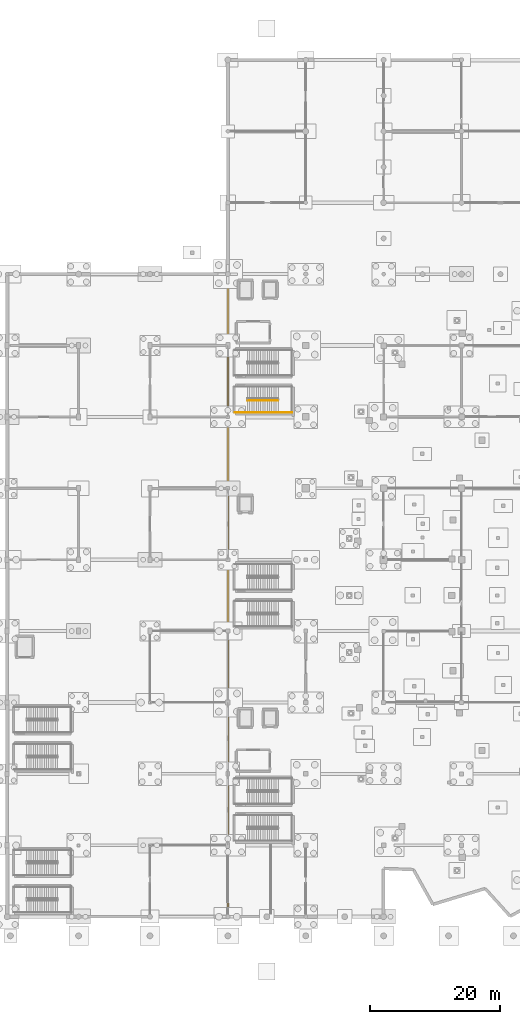
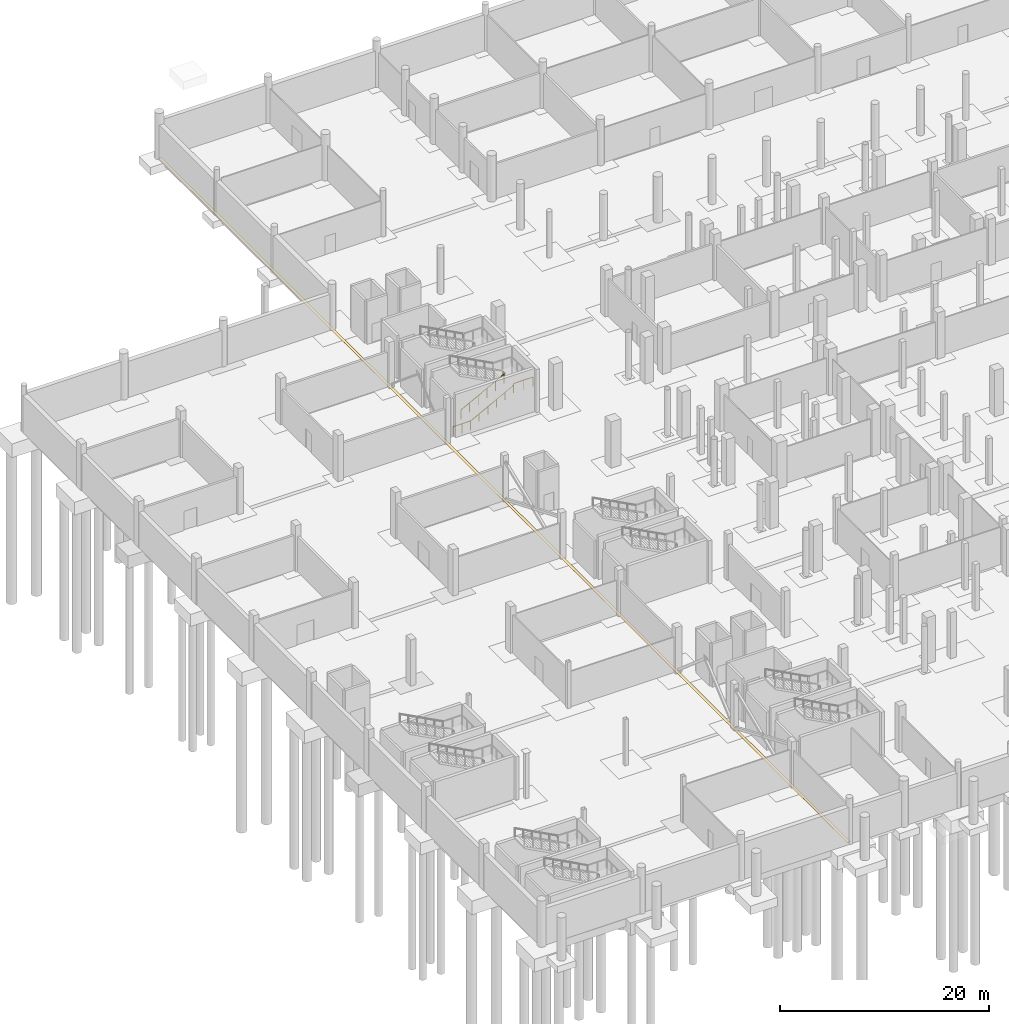
# One storey, part 51 of 60: 4 railings, 1 covering.
"""IFC4 building model written with IfcOpenShell, lengths in metres."""

from ifc_helpers import new_model, si_unit, direction, frame, origin, origin_2d, place, context, subcontext, project, spatial, rectangle, circle, extrude, material, layer, layer_set, type_object, element, save


model = new_model("IFC4")

# Units and contexts
model_context = context("Model", 3, precision=1e-05, world=origin(), true_north=direction((0.0, 1.0)))
body_context = subcontext(model_context, "Body", "Model", "MODEL_VIEW")
ifc_project = project(units=[si_unit("LENGTHUNIT", "METRE"), si_unit("AREAUNIT", "SQUARE_METRE"), si_unit("VOLUMEUNIT", "CUBIC_METRE"), si_unit("PLANEANGLEUNIT", "RADIAN"), si_unit("MASSUNIT", "GRAM", prefix="KILO")], contexts=[model_context])

# Site, building, storey
site_placement = place(None, origin())
site = spatial("IfcSite", under=ifc_project, at=site_placement, CompositionType="ELEMENT")
building_placement = place(site_placement, origin())
building = spatial("IfcBuilding", under=site, at=building_placement, Name="Luwafu Chhajja Arena", CompositionType="ELEMENT")
storey_placement = place(building_placement, frame((0.0, 0.0, -5.39990234375)))
storey = spatial("IfcBuildingStorey", under=building, at=storey_placement, Name="B1", CompositionType="ELEMENT", Elevation=-5.39990234375)

# Covering
ifc_material_1 = material(Name="Red laterite sandstone cladding", Category="masonry")
ifc_layer = layer(ifc_material_1, 0.074951171875, Name="Red laterite sandstone cladding")
ifc_layer_set = layer_set([ifc_layer], Name="Red laterite sandstone cladding")
covering_type = type_object("IfcCoveringType", Name="Dressed Red-Laterite Sandstone Cladding", PredefinedType="CLADDING", material=ifc_layer_set)
covering_placement = place(storey_placement, frame((34.0, 66.0, -0.024169921875), z_axis=(0.0, 0.0, 1.0), x_axis=(1.0, 0.0, 0.0)))
element("IfcCovering", 1, at=covering_placement, inside=storey, type_object=covering_type, Name="B1 Movement Joint MJ01 Flush Threshold Cover Plate 01", PredefinedType="CLADDING", context=body_context, shape_type="SweptSolid", body=[
    extrude(rectangle(XDim=0.320068359375, YDim=131.800048828125, at=origin_2d()), origin(), (0.0, 0.0, 1.0), 0.02392578125),
])

# Railings
ifc_material_2 = material(Name="Stainless steel handrail", Category="steel")
railing_type_1 = type_object("IfcRailingType", Name="Stair Pitch Wall Handrail 920", PredefinedType="HANDRAIL", material=ifc_material_2)
railing_1_placement = place(storey_placement, frame((37.02001953125, 77.699951171875, 0.179931640625)))
element("IfcRailing", 2, at=railing_1_placement, inside=storey, type_object=railing_type_1, Name="B1 ST-05 stair handrail 1", PredefinedType="HANDRAIL", context=body_context, shape_type="SweptSolid", body=[
    extrude(circle(Radius=0.02392578125, at=origin_2d()), frame((0.0, 0.0, 0.8759765625), z_axis=(0.883786813738, 0.0, 0.467889803119), x_axis=(0.0, 1.0, 0.0)), (0.0, 0.0, 1.0), 5.385986328125),
    extrude(circle(Radius=0.02099609375, at=origin_2d()), origin(), (0.0, 0.0, 1.0), 0.851806640625),
    extrude(circle(Radius=0.02099609375, at=origin_2d()), frame((0.951904296875, 0.0, 0.50390625)), (0.0, 0.0, 1.0), 0.851806640625),
    extrude(circle(Radius=0.02099609375, at=origin_2d()), frame((1.904052734375, 0.0, 1.008056640625)), (0.0, 0.0, 1.0), 0.851806640625),
    extrude(circle(Radius=0.02099609375, at=origin_2d()), frame((2.85595703125, 0.0, 1.511962890625)), (0.0, 0.0, 1.0), 0.851806640625),
    extrude(circle(Radius=0.02099609375, at=origin_2d()), frame((3.80810546875, 0.0, 2.01611328125)), (0.0, 0.0, 1.0), 0.851806640625),
    extrude(circle(Radius=0.02099609375, at=origin_2d()), frame((4.760009765625, 0.0, 2.52001953125)), (0.0, 0.0, 1.0), 0.851806640625),
])
ifc_material_3 = material(Name="Stainless steel balustrade", Category="steel")
railing_type_2 = type_object("IfcRailingType", Name="Stair and Terrace Guard Balustrade 1100", PredefinedType="BALUSTRADE", material=ifc_material_3)
railing_2_placement = place(storey_placement, frame((37.02001953125, 79.52001953125, 0.179931640625)))
element("IfcRailing", 3, at=railing_2_placement, inside=storey, type_object=railing_type_2, Name="B1 ST-05 stair guard 1", PredefinedType="BALUSTRADE", context=body_context, shape_type="SweptSolid", body=[
    extrude(circle(Radius=0.02392578125, at=origin_2d()), frame((0.0, 0.0, 1.076171875), z_axis=(0.883786813738, 0.0, 0.467889803119), x_axis=(0.0, 1.0, 0.0)), (0.0, 0.0, 1.0), 5.385986328125),
    extrude(circle(Radius=0.02099609375, at=origin_2d()), origin(), (0.0, 0.0, 1.0), 1.052001953125),
    extrude(circle(Radius=0.02099609375, at=origin_2d()), frame((0.951904296875, 0.0, 0.50390625)), (0.0, 0.0, 1.0), 1.052001953125),
    extrude(circle(Radius=0.02099609375, at=origin_2d()), frame((1.904052734375, 0.0, 1.008056640625)), (0.0, 0.0, 1.0), 1.052001953125),
    extrude(circle(Radius=0.02099609375, at=origin_2d()), frame((2.85595703125, 0.0, 1.511962890625)), (0.0, 0.0, 1.0), 1.052001953125),
    extrude(circle(Radius=0.02099609375, at=origin_2d()), frame((3.80810546875, 0.0, 2.01611328125)), (0.0, 0.0, 1.0), 1.052001953125),
    extrude(circle(Radius=0.02099609375, at=origin_2d()), frame((4.760009765625, 0.0, 2.52001953125)), (0.0, 0.0, 1.0), 1.052001953125),
])
railing_3_placement = place(storey_placement, frame((41.780029296875, 77.699951171875, 2.699951171875)))
element("IfcRailing", 4, at=railing_3_placement, inside=storey, type_object=railing_type_2, Name="B1 ST-05 stair guard 3", PredefinedType="BALUSTRADE", context=body_context, shape_type="SweptSolid", body=[
    extrude(circle(Radius=0.02392578125, at=origin_2d()), frame((0.0, 0.0, 1.076171875), z_axis=(1.0, 0.0, 0.0), x_axis=(0.0, 1.0, 0.0)), (0.0, 0.0, 1.0), 2.119873046875),
    extrude(circle(Radius=0.02099609375, at=origin_2d()), origin(), (0.0, 0.0, 1.0), 1.052001953125),
    extrude(circle(Radius=0.02099609375, at=origin_2d()), frame((1.06005859375, 0.0, 0.0)), (0.0, 0.0, 1.0), 1.052001953125),
    extrude(circle(Radius=0.02099609375, at=origin_2d()), frame((2.119873046875, 0.0, 0.0)), (0.0, 0.0, 1.0), 1.052001953125),
])
railing_4_placement = place(storey_placement, frame((35.10009765625, 77.699951171875, 0.0)))
element("IfcRailing", 5, at=railing_4_placement, inside=storey, type_object=railing_type_2, Name="B1 ST-05 stair guard 8", PredefinedType="BALUSTRADE", context=body_context, shape_type="SweptSolid", body=[
    extrude(circle(Radius=0.02392578125, at=origin_2d()), frame((0.0, 0.0, 1.076171875), z_axis=(1.0, 0.0, 0.0), x_axis=(0.0, 1.0, 0.0)), (0.0, 0.0, 1.0), 1.919921875),
    extrude(circle(Radius=0.02099609375, at=origin_2d()), origin(), (0.0, 0.0, 1.0), 1.052001953125),
    extrude(circle(Radius=0.02099609375, at=origin_2d()), frame((0.9599609375, 0.0, 0.0)), (0.0, 0.0, 1.0), 1.052001953125),
    extrude(circle(Radius=0.02099609375, at=origin_2d()), frame((1.919921875, 0.0, 0.0)), (0.0, 0.0, 1.0), 1.052001953125),
])

save(model, "model.ifc")
